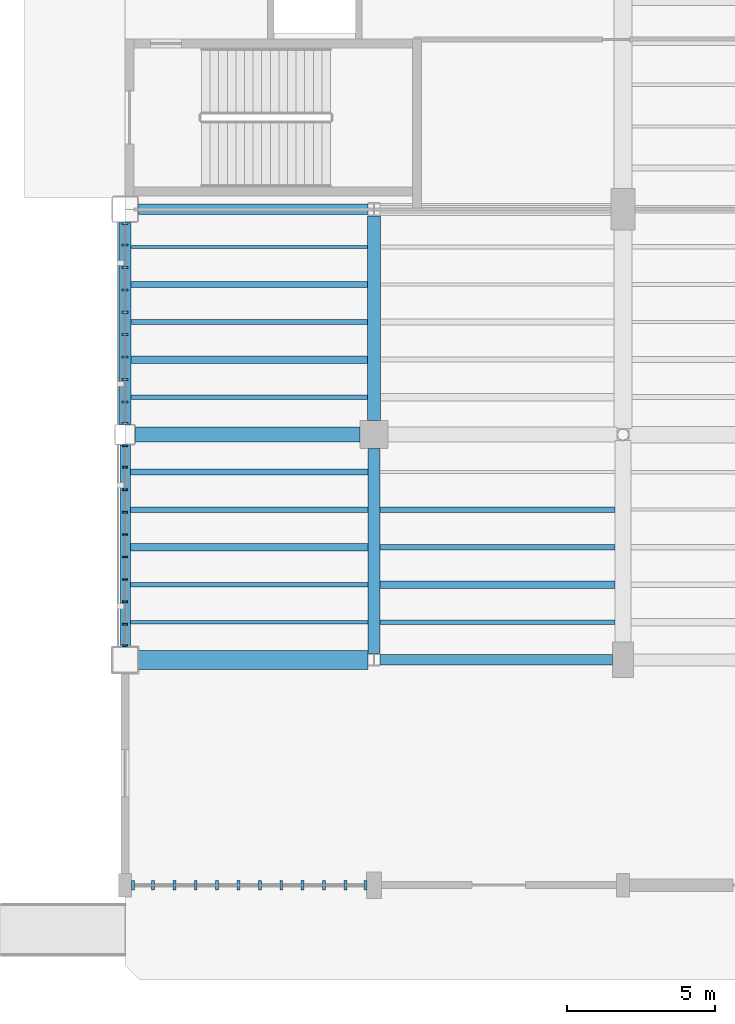
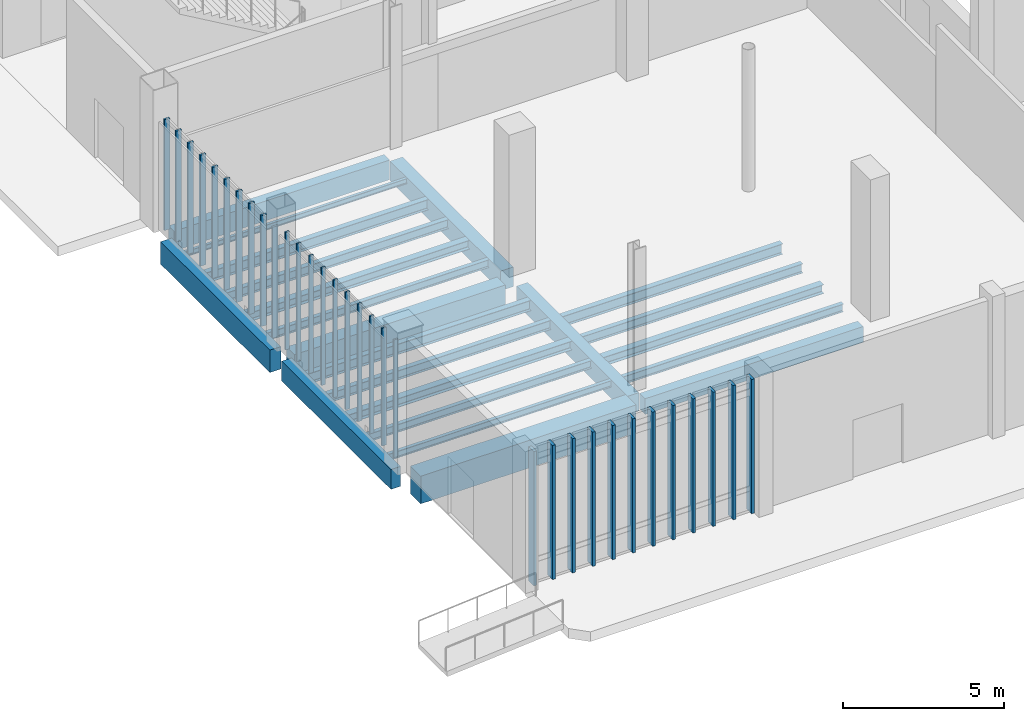
# One storey, part 13 of 111: 32 members, 22 beams, 3 elements without a shape of their own.
"""IFC4 building model written with IfcOpenShell, lengths in metres."""

import ifcopenshell
import ifcopenshell.guid

model = None  # the IFC model being written
_history = None  # IfcOwnerHistory: only IFC2X3 demands one
_inside = {}  # id of a spatial element -> (the spatial element, [elements in it])
_under = {}  # id of a project, library or spatial element -> (it, [spatial elements below it])
_declared = {}  # id of a project -> (the project, [libraries it declares])
_typed = {}  # id of a type object -> (the type object, [elements of that type])
_made_of = {}  # id of a material, layer set ... -> (it, [elements and type objects made of it])


def new_model(schema):
    """Start an empty IFC model of exactly this schema.

    Asked for "IFC4X3", IfcOpenShell would pick the latest addendum, in which some entities
    have other attributes; the version numbers below select the first issue.
    IFC2X3 requires an IfcOwnerHistory on every rooted entity: one is made here for all.
    """
    global model, _history
    if schema == "IFC4X3":
        model = ifcopenshell.file(schema_version=(4, 3, 0, 0))
    else:
        model = ifcopenshell.file(schema=schema)
    _inside.clear()
    _under.clear()
    _declared.clear()
    _typed.clear()
    _made_of.clear()
    _history = None
    if model.schema == "IFC2X3":
        org = make("IfcOrganization", Name="unknown")
        user = make(
            "IfcPersonAndOrganization",
            ThePerson=make("IfcPerson", FamilyName="unknown"),
            TheOrganization=org,
        )
        app = make(
            "IfcApplication",
            ApplicationDeveloper=org,
            Version="unknown",
            ApplicationFullName="unknown",
            ApplicationIdentifier="unknown",
        )
        _history = make(
            "IfcOwnerHistory",
            OwningUser=user,
            OwningApplication=app,
            ChangeAction="ADDED",
            CreationDate=0,
        )
    return model


def make(cls, **values):
    """One entity of the class cls with the attributes given. An attribute that is None is left unset."""
    return model.create_entity(
        cls, **{name: value for name, value in values.items() if value is not None}
    )


def rooted(cls, **values):
    """An entity with a GlobalId (a new one), such as an element, a storey or a relation."""
    return make(cls, GlobalId=ifcopenshell.guid.new(), OwnerHistory=_history, **values)


def si_unit(unit_type, name, prefix=None):
    """IfcSIUnit, for example si_unit("LENGTHUNIT", "METRE", prefix="MILLI")."""
    return make("IfcSIUnit", UnitType=unit_type, Prefix=prefix, Name=name)


def assignment(units):
    """IfcUnitAssignment: the units of a project."""
    return None if units is None else make("IfcUnitAssignment", Units=units)


def point(xyz):
    """IfcCartesianPoint."""
    return None if xyz is None else make("IfcCartesianPoint", Coordinates=xyz)


def direction(xyz):
    """IfcDirection."""
    return None if xyz is None else make("IfcDirection", DirectionRatios=xyz)


def frame(location, z_axis=None, x_axis=None):
    """IfcAxis2Placement3D, a coordinate frame: its origin and axes. An axis left out is left unset."""
    return make(
        "IfcAxis2Placement3D",
        Location=point(location),
        Axis=direction(z_axis),
        RefDirection=direction(x_axis),
    )


def frame_2d(location, x_axis=None):
    """IfcAxis2Placement2D, a coordinate frame in the plane: its origin and x axis."""
    return make(
        "IfcAxis2Placement2D", Location=point(location), RefDirection=direction(x_axis)
    )


def origin():
    """The frame at (0, 0, 0) with its axes left unset."""
    return frame((0.0, 0.0, 0.0))


def origin_2d():
    """The frame at (0, 0) in the plane with its x axis left unset."""
    return frame_2d((0.0, 0.0))


def place(relative_to, where):
    """IfcLocalPlacement: puts the frame where relative to a parent placement (None: the world)."""
    return make(
        "IfcLocalPlacement", PlacementRelTo=relative_to, RelativePlacement=where
    )


def context(
    kind, dimensions, precision=None, world=None, true_north=None, identifier=None
):
    """IfcGeometricRepresentationContext, for example the 3D "Model" context."""
    return make(
        "IfcGeometricRepresentationContext",
        ContextIdentifier=identifier,
        ContextType=kind,
        CoordinateSpaceDimension=dimensions,
        Precision=precision,
        WorldCoordinateSystem=world,
        TrueNorth=true_north,
    )


def subcontext(parent, identifier, kind, view, scale=None):
    """IfcGeometricRepresentationSubContext, for example "Body" below "Model"."""
    return make(
        "IfcGeometricRepresentationSubContext",
        ContextIdentifier=identifier,
        ContextType=kind,
        ParentContext=parent,
        TargetScale=scale,
        TargetView=view,
    )


def project(units=None, contexts=None):
    """IfcProject with its units and contexts."""
    return rooted(
        "IfcProject",
        Name="project",
        RepresentationContexts=contexts,
        UnitsInContext=assignment(units),
    )


def spatial(cls, under=None, at=None, **own):
    """A site, building, storey or space (cls), placed at a placement, below another one or the project."""
    s = rooted(cls, ObjectPlacement=at, **own)
    if under is not None:
        _under.setdefault(under.id(), (under, []))[1].append(s)
    return s


def profile(cls, at=None, kind="AREA", **sizes):
    """A parametric profile (cls). Its sizes go by their IFC names, for example OverallWidth=200.0."""
    return make(cls, ProfileType=kind, Position=at, **sizes)


def rectangle(**sizes):
    """IfcRectangleProfileDef."""
    return profile("IfcRectangleProfileDef", **sizes)


def i_section(**sizes):
    """IfcIShapeProfileDef."""
    return profile("IfcIShapeProfileDef", **sizes)


def extrude(swept, where, along, depth):
    """IfcExtrudedAreaSolid: the profile swept, set in the frame where, extruded along a direction by depth."""
    return make(
        "IfcExtrudedAreaSolid",
        SweptArea=swept,
        Position=where,
        ExtrudedDirection=direction(along),
        Depth=depth,
    )


def shape(context_of_items, identifier, shape_type, items):
    """IfcShapeRepresentation: the items that make up one representation, for example the "Body"."""
    return make(
        "IfcShapeRepresentation",
        ContextOfItems=context_of_items,
        RepresentationIdentifier=identifier,
        RepresentationType=shape_type,
        Items=items,
    )


def material(Name=None, Category=None):
    """IfcMaterial."""
    return make("IfcMaterial", Name=Name, Category=Category)


def material_profile(
    of_material, cross_section, Name=None, Category=None, Priority=None
):
    """IfcMaterialProfile: a cross section and its material."""
    return make(
        "IfcMaterialProfile",
        Name=Name,
        Material=of_material,
        Profile=cross_section,
        Priority=Priority,
        Category=Category,
    )


def profile_set(profiles, Name=None, composite=None):
    """IfcMaterialProfileSet."""
    return make(
        "IfcMaterialProfileSet",
        Name=Name,
        MaterialProfiles=profiles,
        CompositeProfile=composite,
    )


def made_of(thing, what):
    """Note that an element or type object is made of a material, layer set ...; save() writes the relation."""
    if what is not None:
        _made_of.setdefault(what.id(), (what, []))[1].append(thing)
    return thing


def type_object(cls, material=None, **own):
    """A type object (cls), such as IfcWallType, which elements share."""
    return made_of(rooted(cls, **own), material)


def element(
    cls,
    number,
    at=None,
    inside=None,
    cuts=None,
    type_object=None,
    material=None,
    context=None,
    identifier="Body",
    shape_type=None,
    held_by="IfcProductDefinitionShape",
    body=None,
    shapes=None,
    **own,
):
    """One element of the class cls, such as IfcWall. Its Tag is "e" and its number.

    at: its placement. inside: the storey or other place that contains it. cuts: it is an
    opening in that element (IfcRelVoidsElement). A single representation is given by context,
    identifier, shape_type and body (its items); several are given by shapes. held_by: the class
    of the entity that holds the representations. save() writes the other relations.
    """
    e = rooted(cls, Tag="e%d" % number, ObjectPlacement=at, **own)
    if body is not None:
        shapes = [shape(context, identifier, shape_type, body)]
    if shapes is not None:
        e.Representation = make(held_by, Representations=shapes)
    if inside is not None:
        _inside.setdefault(inside.id(), (inside, []))[1].append(e)
    if cuts is not None:
        rooted(
            "IfcRelVoidsElement", RelatingBuildingElement=cuts, RelatedOpeningElement=e
        )
    if type_object is not None:
        _typed.setdefault(type_object.id(), (type_object, []))[1].append(e)
    return made_of(e, material)


def aggregate(whole, parts):
    """IfcRelAggregates: a whole, such as a stair, and the parts it consists of."""
    return rooted("IfcRelAggregates", RelatingObject=whole, RelatedObjects=parts)


def save(model, path):
    """Write the relations noted so far, then the file.

    IfcRelAggregates (storeys below a building ...), IfcRelContainedInSpatialStructure (elements
    in a storey), IfcRelDefinesByType, IfcRelAssociatesMaterial and IfcRelDeclares: one each for
    every whole, place, type object, material and project.
    """
    for whole, parts in _under.values():
        aggregate(whole, parts)
    for where, things in _inside.values():
        rooted(
            "IfcRelContainedInSpatialStructure",
            RelatedElements=things,
            RelatingStructure=where,
        )
    for kind, things in _typed.values():
        rooted("IfcRelDefinesByType", RelatedObjects=things, RelatingType=kind)
    for what, things in _made_of.values():
        rooted("IfcRelAssociatesMaterial", RelatedObjects=things, RelatingMaterial=what)
    for by, libraries in _declared.values():
        rooted("IfcRelDeclares", RelatingContext=by, RelatedDefinitions=libraries)
    model.write(path)


model = new_model("IFC4")

# Units and contexts
model_context = context("Model", 3, precision=1e-05, world=origin(), true_north=direction((0.0, 1.0)))
body_context = subcontext(model_context, "Body", "Model", "MODEL_VIEW")
ifc_project = project(units=[si_unit("LENGTHUNIT", "METRE"), si_unit("AREAUNIT", "SQUARE_METRE"), si_unit("VOLUMEUNIT", "CUBIC_METRE"), si_unit("PLANEANGLEUNIT", "RADIAN"), si_unit("MASSUNIT", "GRAM", prefix="KILO")], contexts=[model_context])

# Site, building, storey
site_placement = place(None, origin())
site = spatial("IfcSite", under=ifc_project, at=site_placement, CompositionType="ELEMENT")
building_placement = place(site_placement, origin())
building = spatial("IfcBuilding", under=site, at=building_placement, Name="Larkvane Passage Sports Hall", CompositionType="ELEMENT")
storey_placement = place(building_placement, origin())
storey = spatial("IfcBuildingStorey", under=building, at=storey_placement, Name="L00", CompositionType="ELEMENT", Elevation=0.0)

# Beams
ifc_material_1 = material(Name="Concrete C40/50", Category="concrete")
ifc_material_profile_1 = material_profile(ifc_material_1, rectangle(XDim=0.35009765625, YDim=0.60009765625, at=origin_2d()), Name="RC-BM-350x600")
ifc_profile_set_1 = profile_set([ifc_material_profile_1], Name="Concrete C40/50")
beam_type_1 = type_object("IfcBeamType", Name="BM-RC-350x600", PredefinedType="BEAM", material=ifc_profile_set_1)
beam_1_placement = place(storey_placement, frame((43.403564453125, 7.60009765625, -0.719970703125), z_axis=(1.0, 0.0, 0.0), x_axis=(0.0, 1.0, 0.0)))
element("IfcBeam", 1, at=beam_1_placement, inside=storey, type_object=beam_type_1, Name="Girder BM5-X-L00-B-0002", PredefinedType="BEAM", context=body_context, shape_type="SweptSolid", body=[
    extrude(rectangle(XDim=0.35009765625, YDim=0.60009765625, at=origin_2d()), origin(), (0.0, 0.0, 1.0), 7.846435546875),
])
ifc_material_profile_2 = material_profile(ifc_material_1, rectangle(XDim=0.39990234375, YDim=0.699951171875, at=origin_2d()), Name="RC-BM-400x700")
ifc_profile_set_2 = profile_set([ifc_material_profile_2], Name="Concrete C40/50")
beam_type_2 = type_object("IfcBeamType", Name="BM-RC-400x700", PredefinedType="BEAM", material=ifc_profile_set_2)
beam_2_placement = place(storey_placement, frame((43.199951171875, 7.81396484375, -0.77001953125), z_axis=(0.0, 1.0, 0.0), x_axis=(-1.0, 0.0, 0.0)))
element("IfcBeam", 2, at=beam_2_placement, inside=storey, type_object=beam_type_2, Name="Girder BM5-Y-L00-7-0082", PredefinedType="BEAM", context=body_context, shape_type="SweptSolid", body=[
    extrude(rectangle(XDim=0.39990234375, YDim=0.699951171875, at=origin_2d()), origin(), (0.0, 0.0, 1.0), 6.9111328125),
])
ifc_material_profile_3 = material_profile(ifc_material_1, rectangle(XDim=0.449951171875, YDim=0.75, at=origin_2d()), Name="RC-BM-450x750")
ifc_profile_set_3 = profile_set([ifc_material_profile_3], Name="Concrete C40/50")
beam_type_3 = type_object("IfcBeamType", Name="BM-RC-450x750", PredefinedType="BEAM", material=ifc_profile_set_3)
beam_3_placement = place(storey_placement, frame((43.199951171875, 15.675048828125, -0.794921875), z_axis=(0.0, 1.0, 0.0), x_axis=(-1.0, 0.0, 0.0)))
element("IfcBeam", 3, at=beam_3_placement, inside=storey, type_object=beam_type_3, Name="Girder BM5-Y-L00-7-0083", PredefinedType="BEAM", context=body_context, shape_type="SweptSolid", body=[
    extrude(rectangle(XDim=0.449951171875, YDim=0.75, at=origin_2d()), origin(), (0.0, 0.0, 1.0), 6.89599609375),
])
ifc_material_profile_4 = material_profile(ifc_material_1, rectangle(XDim=0.5, YDim=0.85009765625, at=origin_2d()), Name="RC-BM-500x850")
ifc_profile_set_4 = profile_set([ifc_material_profile_4], Name="Concrete C40/50")
beam_type_4 = type_object("IfcBeamType", Name="BM-RC-500x850", PredefinedType="BEAM", material=ifc_profile_set_4)
beam_4_placement = place(storey_placement, frame((35.14990234375, 15.199951171875, -0.844970703125), z_axis=(1.0, 0.0, 0.0), x_axis=(0.0, 1.0, 0.0)))
element("IfcBeam", 4, at=beam_4_placement, inside=storey, type_object=beam_type_4, Name="Girder BM5-X-L00-C-0007", PredefinedType="BEAM", context=body_context, shape_type="SweptSolid", body=[
    extrude(rectangle(XDim=0.5, YDim=0.85009765625, at=origin_2d()), origin(), (0.0, 0.0, 1.0), 7.5751953125),
])

# Curtain wall, members
ifc_material_2 = material(Name="Thermally broken aluminium and low-E glazing", Category="aluminium")
curtain_wall_type_1 = type_object("IfcCurtainWallType", Name="CW-CLINIC", PredefinedType="USERDEFINED", material=ifc_material_2)
curtain_wall_1_placement = place(storey_placement, origin())
curtain_wall_1 = element("IfcCurtainWall", 5, at=curtain_wall_1_placement, inside=storey, type_object=curtain_wall_type_1, Name="Curtain wall CW5-L00-003", ObjectType="UNITISED CURTAIN WALL", PredefinedType="USERDEFINED")
ifc_material_3 = material(Name="Anodised aluminium 6063-T6", Category="aluminium")
ifc_material_profile_5 = material_profile(ifc_material_3, rectangle(XDim=0.10009765625, YDim=0.320068359375, at=origin_2d()), Name="ALU-MUL-100x320")
ifc_profile_set_5 = profile_set([ifc_material_profile_5], Name="Anodised aluminium 6063-T6")
member_type_1 = type_object("IfcMemberType", Name="CW-MUL-100x320", PredefinedType="MULLION", material=ifc_profile_set_5)
member_1_placement = place(storey_placement, frame((42.904052734375, 0.0, 0.0), z_axis=(0.0, 0.0, 1.0), x_axis=(-1.0, 0.0, 0.0)))
member_1 = element("IfcMember", 6, at=member_1_placement, type_object=member_type_1, Name="CW-05 mullion 1", PredefinedType="MULLION", context=body_context, shape_type="SweptSolid", body=[
    extrude(rectangle(XDim=0.10009765625, YDim=0.320068359375, at=origin_2d()), origin(), (0.0, 0.0, 1.0), 5.10009765625),
])
member_2_placement = place(storey_placement, frame((42.23291015625, 0.0, 0.0), z_axis=(0.0, 0.0, 1.0), x_axis=(-1.0, 0.0, 0.0)))
member_2 = element("IfcMember", 7, at=member_2_placement, type_object=member_type_1, Name="CW-05 mullion 2", PredefinedType="MULLION", context=body_context, shape_type="SweptSolid", body=[
    extrude(rectangle(XDim=0.10009765625, YDim=0.320068359375, at=origin_2d()), origin(), (0.0, 0.0, 1.0), 5.10009765625),
])
member_3_placement = place(storey_placement, frame((41.51171875, 0.0, 0.0), z_axis=(0.0, 0.0, 1.0), x_axis=(-1.0, 0.0, 0.0)))
member_3 = element("IfcMember", 8, at=member_3_placement, type_object=member_type_1, Name="CW-05 mullion 3", PredefinedType="MULLION", context=body_context, shape_type="SweptSolid", body=[
    extrude(rectangle(XDim=0.10009765625, YDim=0.320068359375, at=origin_2d()), origin(), (0.0, 0.0, 1.0), 5.10009765625),
])
member_4_placement = place(storey_placement, frame((40.79052734375, 0.0, 0.0), z_axis=(0.0, 0.0, 1.0), x_axis=(-1.0, 0.0, 0.0)))
member_4 = element("IfcMember", 9, at=member_4_placement, type_object=member_type_1, Name="CW-05 mullion 4", PredefinedType="MULLION", context=body_context, shape_type="SweptSolid", body=[
    extrude(rectangle(XDim=0.10009765625, YDim=0.320068359375, at=origin_2d()), origin(), (0.0, 0.0, 1.0), 5.10009765625),
])
member_5_placement = place(storey_placement, frame((40.0693359375, 0.0, 0.0), z_axis=(0.0, 0.0, 1.0), x_axis=(-1.0, 0.0, 0.0)))
member_5 = element("IfcMember", 10, at=member_5_placement, type_object=member_type_1, Name="CW-05 mullion 5", PredefinedType="MULLION", context=body_context, shape_type="SweptSolid", body=[
    extrude(rectangle(XDim=0.10009765625, YDim=0.320068359375, at=origin_2d()), origin(), (0.0, 0.0, 1.0), 5.10009765625),
])
member_6_placement = place(storey_placement, frame((39.34814453125, 0.0, 0.0), z_axis=(0.0, 0.0, 1.0), x_axis=(-1.0, 0.0, 0.0)))
member_6 = element("IfcMember", 11, at=member_6_placement, type_object=member_type_1, Name="CW-05 mullion 6", PredefinedType="MULLION", context=body_context, shape_type="SweptSolid", body=[
    extrude(rectangle(XDim=0.10009765625, YDim=0.320068359375, at=origin_2d()), origin(), (0.0, 0.0, 1.0), 5.10009765625),
])
member_7_placement = place(storey_placement, frame((38.626953125, 0.0, 0.0), z_axis=(0.0, 0.0, 1.0), x_axis=(-1.0, 0.0, 0.0)))
member_7 = element("IfcMember", 12, at=member_7_placement, type_object=member_type_1, Name="CW-05 mullion 7", PredefinedType="MULLION", context=body_context, shape_type="SweptSolid", body=[
    extrude(rectangle(XDim=0.10009765625, YDim=0.320068359375, at=origin_2d()), origin(), (0.0, 0.0, 1.0), 5.10009765625),
])
member_8_placement = place(storey_placement, frame((37.90576171875, 0.0, 0.0), z_axis=(0.0, 0.0, 1.0), x_axis=(-1.0, 0.0, 0.0)))
member_8 = element("IfcMember", 13, at=member_8_placement, type_object=member_type_1, Name="CW-05 mullion 8", PredefinedType="MULLION", context=body_context, shape_type="SweptSolid", body=[
    extrude(rectangle(XDim=0.10009765625, YDim=0.320068359375, at=origin_2d()), origin(), (0.0, 0.0, 1.0), 5.10009765625),
])
member_9_placement = place(storey_placement, frame((37.1845703125, 0.0, 0.0), z_axis=(0.0, 0.0, 1.0), x_axis=(-1.0, 0.0, 0.0)))
member_9 = element("IfcMember", 14, at=member_9_placement, type_object=member_type_1, Name="CW-05 mullion 9", PredefinedType="MULLION", context=body_context, shape_type="SweptSolid", body=[
    extrude(rectangle(XDim=0.10009765625, YDim=0.320068359375, at=origin_2d()), origin(), (0.0, 0.0, 1.0), 5.10009765625),
])
member_10_placement = place(storey_placement, frame((36.46337890625, 0.0, 0.0), z_axis=(0.0, 0.0, 1.0), x_axis=(-1.0, 0.0, 0.0)))
member_10 = element("IfcMember", 15, at=member_10_placement, type_object=member_type_1, Name="CW-05 mullion 10", PredefinedType="MULLION", context=body_context, shape_type="SweptSolid", body=[
    extrude(rectangle(XDim=0.10009765625, YDim=0.320068359375, at=origin_2d()), origin(), (0.0, 0.0, 1.0), 5.10009765625),
])
member_11_placement = place(storey_placement, frame((35.7421875, 0.0, 0.0), z_axis=(0.0, 0.0, 1.0), x_axis=(-1.0, 0.0, 0.0)))
member_11 = element("IfcMember", 16, at=member_11_placement, type_object=member_type_1, Name="CW-05 mullion 11", PredefinedType="MULLION", context=body_context, shape_type="SweptSolid", body=[
    extrude(rectangle(XDim=0.10009765625, YDim=0.320068359375, at=origin_2d()), origin(), (0.0, 0.0, 1.0), 5.10009765625),
])
member_12_placement = place(storey_placement, frame((35.071044921875, 0.0, 0.0), z_axis=(0.0, 0.0, 1.0), x_axis=(-1.0, 0.0, 0.0)))
member_12 = element("IfcMember", 17, at=member_12_placement, type_object=member_type_1, Name="CW-05 mullion 12", PredefinedType="MULLION", context=body_context, shape_type="SweptSolid", body=[
    extrude(rectangle(XDim=0.10009765625, YDim=0.320068359375, at=origin_2d()), origin(), (0.0, 0.0, 1.0), 5.10009765625),
])
aggregate(curtain_wall_1, [member_1, member_2, member_3, member_4, member_5, member_6, member_7, member_8, member_9, member_10, member_11, member_12])

curtain_wall_type_2 = type_object("IfcCurtainWallType", Name="CW-UNIT-COURT", PredefinedType="USERDEFINED", material=ifc_material_2)
curtain_wall_2_placement = place(storey_placement, origin())
curtain_wall_2 = element("IfcCurtainWall", 18, at=curtain_wall_2_placement, inside=storey, type_object=curtain_wall_type_2, Name="Curtain wall CW5-L00-004", ObjectType="UNITISED CURTAIN WALL", PredefinedType="USERDEFINED")
ifc_material_profile_6 = material_profile(ifc_material_3, rectangle(XDim=0.06005859375, YDim=0.14990234375, at=origin_2d()), Name="ALU-MUL-60x150")
ifc_profile_set_6 = profile_set([ifc_material_profile_6], Name="Anodised aluminium 6063-T6")
member_type_2 = type_object("IfcMemberType", Name="CW-MUL-60x150", PredefinedType="MULLION", material=ifc_profile_set_6)
member_13_placement = place(storey_placement, frame((34.800048828125, 8.075927734375, 0.0), z_axis=(0.0, 0.0, 1.0), x_axis=(0.0, 1.0, 0.0)))
member_13 = element("IfcMember", 19, at=member_13_placement, type_object=member_type_2, Name="CW-01 mullion 1", PredefinedType="MULLION", context=body_context, shape_type="SweptSolid", body=[
    extrude(rectangle(XDim=0.06005859375, YDim=0.14990234375, at=origin_2d()), origin(), (0.0, 0.0, 1.0), 4.468017578125),
])
member_14_placement = place(storey_placement, frame((34.800048828125, 8.802490234375, 0.0), z_axis=(0.0, 0.0, 1.0), x_axis=(0.0, 1.0, 0.0)))
member_14 = element("IfcMember", 20, at=member_14_placement, type_object=member_type_2, Name="CW-01 mullion 2", PredefinedType="MULLION", context=body_context, shape_type="SweptSolid", body=[
    extrude(rectangle(XDim=0.06005859375, YDim=0.14990234375, at=origin_2d()), origin(), (0.0, 0.0, 1.0), 4.468017578125),
])
member_15_placement = place(storey_placement, frame((34.800048828125, 9.558837890625, 0.0), z_axis=(0.0, 0.0, 1.0), x_axis=(0.0, 1.0, 0.0)))
member_15 = element("IfcMember", 21, at=member_15_placement, type_object=member_type_2, Name="CW-01 mullion 3", PredefinedType="MULLION", context=body_context, shape_type="SweptSolid", body=[
    extrude(rectangle(XDim=0.06005859375, YDim=0.14990234375, at=origin_2d()), origin(), (0.0, 0.0, 1.0), 4.468017578125),
])
member_16_placement = place(storey_placement, frame((34.800048828125, 10.3154296875, 0.0), z_axis=(0.0, 0.0, 1.0), x_axis=(0.0, 1.0, 0.0)))
member_16 = element("IfcMember", 22, at=member_16_placement, type_object=member_type_2, Name="CW-01 mullion 4", PredefinedType="MULLION", context=body_context, shape_type="SweptSolid", body=[
    extrude(rectangle(XDim=0.06005859375, YDim=0.14990234375, at=origin_2d()), origin(), (0.0, 0.0, 1.0), 4.468017578125),
])
member_17_placement = place(storey_placement, frame((34.800048828125, 11.07177734375, 0.0), z_axis=(0.0, 0.0, 1.0), x_axis=(0.0, 1.0, 0.0)))
member_17 = element("IfcMember", 23, at=member_17_placement, type_object=member_type_2, Name="CW-01 mullion 5", PredefinedType="MULLION", context=body_context, shape_type="SweptSolid", body=[
    extrude(rectangle(XDim=0.06005859375, YDim=0.14990234375, at=origin_2d()), origin(), (0.0, 0.0, 1.0), 4.468017578125),
])
member_18_placement = place(storey_placement, frame((34.800048828125, 11.828125, 0.0), z_axis=(0.0, 0.0, 1.0), x_axis=(0.0, 1.0, 0.0)))
member_18 = element("IfcMember", 24, at=member_18_placement, type_object=member_type_2, Name="CW-01 mullion 6", PredefinedType="MULLION", context=body_context, shape_type="SweptSolid", body=[
    extrude(rectangle(XDim=0.06005859375, YDim=0.14990234375, at=origin_2d()), origin(), (0.0, 0.0, 1.0), 4.468017578125),
])
member_19_placement = place(storey_placement, frame((34.800048828125, 12.584716796875, 0.0), z_axis=(0.0, 0.0, 1.0), x_axis=(0.0, 1.0, 0.0)))
member_19 = element("IfcMember", 25, at=member_19_placement, type_object=member_type_2, Name="CW-01 mullion 7", PredefinedType="MULLION", context=body_context, shape_type="SweptSolid", body=[
    extrude(rectangle(XDim=0.06005859375, YDim=0.14990234375, at=origin_2d()), origin(), (0.0, 0.0, 1.0), 4.468017578125),
])
member_20_placement = place(storey_placement, frame((34.800048828125, 13.341064453125, 0.0), z_axis=(0.0, 0.0, 1.0), x_axis=(0.0, 1.0, 0.0)))
member_20 = element("IfcMember", 26, at=member_20_placement, type_object=member_type_2, Name="CW-01 mullion 8", PredefinedType="MULLION", context=body_context, shape_type="SweptSolid", body=[
    extrude(rectangle(XDim=0.06005859375, YDim=0.14990234375, at=origin_2d()), origin(), (0.0, 0.0, 1.0), 4.468017578125),
])
member_21_placement = place(storey_placement, frame((34.800048828125, 14.09765625, 0.0), z_axis=(0.0, 0.0, 1.0), x_axis=(0.0, 1.0, 0.0)))
member_21 = element("IfcMember", 27, at=member_21_placement, type_object=member_type_2, Name="CW-01 mullion 9", PredefinedType="MULLION", context=body_context, shape_type="SweptSolid", body=[
    extrude(rectangle(XDim=0.06005859375, YDim=0.14990234375, at=origin_2d()), origin(), (0.0, 0.0, 1.0), 4.468017578125),
])
member_22_placement = place(storey_placement, frame((34.800048828125, 14.823974609375, 0.0), z_axis=(0.0, 0.0, 1.0), x_axis=(0.0, 1.0, 0.0)))
member_22 = element("IfcMember", 28, at=member_22_placement, type_object=member_type_2, Name="CW-01 mullion 10", PredefinedType="MULLION", context=body_context, shape_type="SweptSolid", body=[
    extrude(rectangle(XDim=0.06005859375, YDim=0.14990234375, at=origin_2d()), origin(), (0.0, 0.0, 1.0), 4.468017578125),
])
aggregate(curtain_wall_2, [member_13, member_14, member_15, member_16, member_17, member_18, member_19, member_20, member_21, member_22])

curtain_wall_type_3 = type_object("IfcCurtainWallType", Name="CW-UNIT-VEIL", PredefinedType="USERDEFINED", material=ifc_material_2)
curtain_wall_3_placement = place(storey_placement, origin())
curtain_wall_3 = element("IfcCurtainWall", 29, at=curtain_wall_3_placement, inside=storey, type_object=curtain_wall_type_3, Name="Curtain wall CW5-L00-005", ObjectType="UNITISED CURTAIN WALL", PredefinedType="USERDEFINED")
ifc_material_profile_7 = material_profile(ifc_material_3, rectangle(XDim=0.070068359375, YDim=0.199951171875, at=origin_2d()), Name="ALU-MUL-70x200")
ifc_profile_set_7 = profile_set([ifc_material_profile_7], Name="Anodised aluminium 6063-T6")
member_type_3 = type_object("IfcMemberType", Name="CW-MUL-70x200", PredefinedType="MULLION", material=ifc_profile_set_7)
member_23_placement = place(storey_placement, frame((34.800048828125, 15.5810546875, 0.0), z_axis=(0.0, 0.0, 1.0), x_axis=(0.0, 1.0, 0.0)))
member_23 = element("IfcMember", 30, at=member_23_placement, type_object=member_type_3, Name="CW-02 mullion 1", PredefinedType="MULLION", context=body_context, shape_type="SweptSolid", body=[
    extrude(rectangle(XDim=0.070068359375, YDim=0.199951171875, at=origin_2d()), origin(), (0.0, 0.0, 1.0), 4.218017578125),
])
member_24_placement = place(storey_placement, frame((34.800048828125, 16.302490234375, 0.0), z_axis=(0.0, 0.0, 1.0), x_axis=(0.0, 1.0, 0.0)))
member_24 = element("IfcMember", 31, at=member_24_placement, type_object=member_type_3, Name="CW-02 mullion 2", PredefinedType="MULLION", context=body_context, shape_type="SweptSolid", body=[
    extrude(rectangle(XDim=0.070068359375, YDim=0.199951171875, at=origin_2d()), origin(), (0.0, 0.0, 1.0), 4.218017578125),
])
member_25_placement = place(storey_placement, frame((34.800048828125, 17.058837890625, 0.0), z_axis=(0.0, 0.0, 1.0), x_axis=(0.0, 1.0, 0.0)))
member_25 = element("IfcMember", 32, at=member_25_placement, type_object=member_type_3, Name="CW-02 mullion 3", PredefinedType="MULLION", context=body_context, shape_type="SweptSolid", body=[
    extrude(rectangle(XDim=0.070068359375, YDim=0.199951171875, at=origin_2d()), origin(), (0.0, 0.0, 1.0), 4.218017578125),
])
member_26_placement = place(storey_placement, frame((34.800048828125, 17.8154296875, 0.0), z_axis=(0.0, 0.0, 1.0), x_axis=(0.0, 1.0, 0.0)))
member_26 = element("IfcMember", 33, at=member_26_placement, type_object=member_type_3, Name="CW-02 mullion 4", PredefinedType="MULLION", context=body_context, shape_type="SweptSolid", body=[
    extrude(rectangle(XDim=0.070068359375, YDim=0.199951171875, at=origin_2d()), origin(), (0.0, 0.0, 1.0), 4.218017578125),
])
member_27_placement = place(storey_placement, frame((34.800048828125, 18.57177734375, 0.0), z_axis=(0.0, 0.0, 1.0), x_axis=(0.0, 1.0, 0.0)))
member_27 = element("IfcMember", 34, at=member_27_placement, type_object=member_type_3, Name="CW-02 mullion 5", PredefinedType="MULLION", context=body_context, shape_type="SweptSolid", body=[
    extrude(rectangle(XDim=0.070068359375, YDim=0.199951171875, at=origin_2d()), origin(), (0.0, 0.0, 1.0), 4.218017578125),
])
member_28_placement = place(storey_placement, frame((34.800048828125, 19.328125, 0.0), z_axis=(0.0, 0.0, 1.0), x_axis=(0.0, 1.0, 0.0)))
member_28 = element("IfcMember", 35, at=member_28_placement, type_object=member_type_3, Name="CW-02 mullion 6", PredefinedType="MULLION", context=body_context, shape_type="SweptSolid", body=[
    extrude(rectangle(XDim=0.070068359375, YDim=0.199951171875, at=origin_2d()), origin(), (0.0, 0.0, 1.0), 4.218017578125),
])
member_29_placement = place(storey_placement, frame((34.800048828125, 20.084716796875, 0.0), z_axis=(0.0, 0.0, 1.0), x_axis=(0.0, 1.0, 0.0)))
member_29 = element("IfcMember", 36, at=member_29_placement, type_object=member_type_3, Name="CW-02 mullion 7", PredefinedType="MULLION", context=body_context, shape_type="SweptSolid", body=[
    extrude(rectangle(XDim=0.070068359375, YDim=0.199951171875, at=origin_2d()), origin(), (0.0, 0.0, 1.0), 4.218017578125),
])
member_30_placement = place(storey_placement, frame((34.800048828125, 20.841064453125, 0.0), z_axis=(0.0, 0.0, 1.0), x_axis=(0.0, 1.0, 0.0)))
member_30 = element("IfcMember", 37, at=member_30_placement, type_object=member_type_3, Name="CW-02 mullion 8", PredefinedType="MULLION", context=body_context, shape_type="SweptSolid", body=[
    extrude(rectangle(XDim=0.070068359375, YDim=0.199951171875, at=origin_2d()), origin(), (0.0, 0.0, 1.0), 4.218017578125),
])
member_31_placement = place(storey_placement, frame((34.800048828125, 21.59765625, 0.0), z_axis=(0.0, 0.0, 1.0), x_axis=(0.0, 1.0, 0.0)))
member_31 = element("IfcMember", 38, at=member_31_placement, type_object=member_type_3, Name="CW-02 mullion 9", PredefinedType="MULLION", context=body_context, shape_type="SweptSolid", body=[
    extrude(rectangle(XDim=0.070068359375, YDim=0.199951171875, at=origin_2d()), origin(), (0.0, 0.0, 1.0), 4.218017578125),
])
member_32_placement = place(storey_placement, frame((34.800048828125, 22.319091796875, 0.0), z_axis=(0.0, 0.0, 1.0), x_axis=(0.0, 1.0, 0.0)))
member_32 = element("IfcMember", 39, at=member_32_placement, type_object=member_type_3, Name="CW-02 mullion 10", PredefinedType="MULLION", context=body_context, shape_type="SweptSolid", body=[
    extrude(rectangle(XDim=0.070068359375, YDim=0.199951171875, at=origin_2d()), origin(), (0.0, 0.0, 1.0), 4.218017578125),
])
aggregate(curtain_wall_3, [member_23, member_24, member_25, member_26, member_27, member_28, member_29, member_30, member_31, member_32])

# Beams
ifc_material_4 = material(Name="Steel S355JR", Category="steel")
ifc_material_profile_8 = material_profile(ifc_material_4, i_section(OverallWidth=0.10009765625, OverallDepth=0.199951171875, WebThickness=0.005615234375, FlangeThickness=0.008056640625, FilletRadius=0.008056640625, at=origin_2d()), Name="H-200x100x5.5x8")
ifc_profile_set_8 = profile_set([ifc_material_profile_8], Name="Steel S355JR")
beam_type_5 = type_object("IfcBeamType", Name="JST-STL-H200", PredefinedType="JOIST", material=ifc_profile_set_8)
beam_5_placement = place(storey_placement, frame((35.0, 21.533447265625, -0.52001953125), z_axis=(1.0, 0.0, 0.0), x_axis=(0.0, 1.0, 0.0)))
element("IfcBeam", 40, at=beam_5_placement, inside=storey, type_object=beam_type_5, Name="Composite joist L00 6/C-5", PredefinedType="JOIST", context=body_context, shape_type="SweptSolid", body=[
    extrude(i_section(OverallWidth=0.10009765625, OverallDepth=0.199951171875, WebThickness=0.005615234375, FlangeThickness=0.008056640625, FilletRadius=0.008056640625, at=origin_2d()), origin(), (0.0, 0.0, 1.0), 7.97509765625),
])
ifc_material_profile_9 = material_profile(ifc_material_4, i_section(OverallWidth=0.125, OverallDepth=0.25, WebThickness=0.006103515625, FlangeThickness=0.009033203125, FilletRadius=0.008056640625, at=origin_2d()), Name="H-250x125x6x9")
ifc_profile_set_9 = profile_set([ifc_material_profile_9], Name="Steel S355JR")
beam_type_6 = type_object("IfcBeamType", Name="JST-STL-H250", PredefinedType="JOIST", material=ifc_profile_set_9)
beam_6_placement = place(storey_placement, frame((34.97509765625, 8.86669921875, -0.544921875), z_axis=(1.0, 0.0, 0.0), x_axis=(0.0, 1.0, 0.0)))
element("IfcBeam", 41, at=beam_6_placement, inside=storey, type_object=beam_type_6, Name="Composite joist L00 6/B-1", PredefinedType="JOIST", context=body_context, shape_type="SweptSolid", body=[
    extrude(i_section(OverallWidth=0.125, OverallDepth=0.25, WebThickness=0.006103515625, FlangeThickness=0.009033203125, FilletRadius=0.008056640625, at=origin_2d()), origin(), (0.0, 0.0, 1.0), 8.02490234375),
])
ifc_material_profile_10 = material_profile(ifc_material_4, i_section(OverallWidth=0.14990234375, OverallDepth=0.300048828125, WebThickness=0.006591796875, FlangeThickness=0.009033203125, FilletRadius=0.012939453125, at=origin_2d()), Name="H-300x150x6.5x9")
ifc_profile_set_10 = profile_set([ifc_material_profile_10], Name="Steel S355JR")
beam_type_7 = type_object("IfcBeamType", Name="JST-STL-H300", PredefinedType="JOIST", material=ifc_profile_set_10)
beam_7_placement = place(storey_placement, frame((34.97509765625, 10.13330078125, -0.570068359375), z_axis=(1.0, 0.0, 0.0), x_axis=(0.0, 1.0, 0.0)))
element("IfcBeam", 42, at=beam_7_placement, inside=storey, type_object=beam_type_7, Name="Composite joist L00 6/B-2", PredefinedType="JOIST", context=body_context, shape_type="SweptSolid", body=[
    extrude(i_section(OverallWidth=0.14990234375, OverallDepth=0.300048828125, WebThickness=0.006591796875, FlangeThickness=0.009033203125, FilletRadius=0.012939453125, at=origin_2d()), origin(), (0.0, 0.0, 1.0), 8.02490234375),
])
beam_8_placement = place(storey_placement, frame((35.0, 16.466552734375, -0.570068359375), z_axis=(1.0, 0.0, 0.0), x_axis=(0.0, 1.0, 0.0)))
element("IfcBeam", 43, at=beam_8_placement, inside=storey, type_object=beam_type_7, Name="Composite joist L00 6/C-1", PredefinedType="JOIST", context=body_context, shape_type="SweptSolid", body=[
    extrude(i_section(OverallWidth=0.14990234375, OverallDepth=0.300048828125, WebThickness=0.006591796875, FlangeThickness=0.009033203125, FilletRadius=0.012939453125, at=origin_2d()), origin(), (0.0, 0.0, 1.0), 7.97509765625),
])
beam_9_placement = place(storey_placement, frame((43.39990234375, 8.86669921875, -0.570068359375), z_axis=(1.0, 0.0, 0.0), x_axis=(0.0, 1.0, 0.0)))
element("IfcBeam", 44, at=beam_9_placement, inside=storey, type_object=beam_type_7, Name="Composite joist L00 7/B-1", PredefinedType="JOIST", context=body_context, shape_type="SweptSolid", body=[
    extrude(i_section(OverallWidth=0.14990234375, OverallDepth=0.300048828125, WebThickness=0.006591796875, FlangeThickness=0.009033203125, FilletRadius=0.012939453125, at=origin_2d()), origin(), (0.0, 0.0, 1.0), 7.925048828125),
])
ifc_material_profile_11 = material_profile(ifc_material_4, i_section(OverallWidth=0.25, OverallDepth=0.340087890625, WebThickness=0.009033203125, FlangeThickness=0.013916015625, FilletRadius=0.012939453125, at=origin_2d()), Name="H-340x250x9x14")
ifc_profile_set_11 = profile_set([ifc_material_profile_11], Name="Steel S355JR")
beam_type_8 = type_object("IfcBeamType", Name="JST-STL-H340", PredefinedType="JOIST", material=ifc_profile_set_11)
beam_10_placement = place(storey_placement, frame((34.97509765625, 11.39990234375, -0.590087890625), z_axis=(1.0, 0.0, 0.0), x_axis=(0.0, 1.0, 0.0)))
element("IfcBeam", 45, at=beam_10_placement, inside=storey, type_object=beam_type_8, Name="Composite joist L00 6/B-3", PredefinedType="JOIST", context=body_context, shape_type="SweptSolid", body=[
    extrude(i_section(OverallWidth=0.25, OverallDepth=0.340087890625, WebThickness=0.009033203125, FlangeThickness=0.013916015625, FilletRadius=0.012939453125, at=origin_2d()), origin(), (0.0, 0.0, 1.0), 8.02490234375),
])
beam_11_placement = place(storey_placement, frame((35.0, 17.7333984375, -0.590087890625), z_axis=(1.0, 0.0, 0.0), x_axis=(0.0, 1.0, 0.0)))
element("IfcBeam", 46, at=beam_11_placement, inside=storey, type_object=beam_type_8, Name="Composite joist L00 6/C-2", PredefinedType="JOIST", context=body_context, shape_type="SweptSolid", body=[
    extrude(i_section(OverallWidth=0.25, OverallDepth=0.340087890625, WebThickness=0.009033203125, FlangeThickness=0.013916015625, FilletRadius=0.012939453125, at=origin_2d()), origin(), (0.0, 0.0, 1.0), 7.97509765625),
])
beam_12_placement = place(storey_placement, frame((43.39990234375, 10.13330078125, -0.590087890625), z_axis=(1.0, 0.0, 0.0), x_axis=(0.0, 1.0, 0.0)))
element("IfcBeam", 47, at=beam_12_placement, inside=storey, type_object=beam_type_8, Name="Composite joist L00 7/B-2", PredefinedType="JOIST", context=body_context, shape_type="SweptSolid", body=[
    extrude(i_section(OverallWidth=0.25, OverallDepth=0.340087890625, WebThickness=0.009033203125, FlangeThickness=0.013916015625, FilletRadius=0.012939453125, at=origin_2d()), origin(), (0.0, 0.0, 1.0), 7.925048828125),
])
ifc_material_profile_12 = material_profile(ifc_material_4, i_section(OverallWidth=0.175048828125, OverallDepth=0.35009765625, WebThickness=0.007080078125, FlangeThickness=0.010986328125, FilletRadius=0.012939453125, at=origin_2d()), Name="H-350x175x7x11")
ifc_profile_set_12 = profile_set([ifc_material_profile_12], Name="Steel S355JR")
beam_type_9 = type_object("IfcBeamType", Name="JST-STL-H350", PredefinedType="JOIST", material=ifc_profile_set_12)
beam_13_placement = place(storey_placement, frame((34.97509765625, 12.666748046875, -0.594970703125), z_axis=(1.0, 0.0, 0.0), x_axis=(0.0, 1.0, 0.0)))
element("IfcBeam", 48, at=beam_13_placement, inside=storey, type_object=beam_type_9, Name="Composite joist L00 6/B-4", PredefinedType="JOIST", context=body_context, shape_type="SweptSolid", body=[
    extrude(i_section(OverallWidth=0.175048828125, OverallDepth=0.35009765625, WebThickness=0.007080078125, FlangeThickness=0.010986328125, FilletRadius=0.012939453125, at=origin_2d()), origin(), (0.0, 0.0, 1.0), 8.02490234375),
])
beam_14_placement = place(storey_placement, frame((35.0, 19.0, -0.594970703125), z_axis=(1.0, 0.0, 0.0), x_axis=(0.0, 1.0, 0.0)))
element("IfcBeam", 49, at=beam_14_placement, inside=storey, type_object=beam_type_9, Name="Composite joist L00 6/C-3", PredefinedType="JOIST", context=body_context, shape_type="SweptSolid", body=[
    extrude(i_section(OverallWidth=0.175048828125, OverallDepth=0.35009765625, WebThickness=0.007080078125, FlangeThickness=0.010986328125, FilletRadius=0.012939453125, at=origin_2d()), origin(), (0.0, 0.0, 1.0), 7.97509765625),
])
beam_15_placement = place(storey_placement, frame((43.39990234375, 11.39990234375, -0.594970703125), z_axis=(1.0, 0.0, 0.0), x_axis=(0.0, 1.0, 0.0)))
element("IfcBeam", 50, at=beam_15_placement, inside=storey, type_object=beam_type_9, Name="Composite joist L00 7/B-3", PredefinedType="JOIST", context=body_context, shape_type="SweptSolid", body=[
    extrude(i_section(OverallWidth=0.175048828125, OverallDepth=0.35009765625, WebThickness=0.007080078125, FlangeThickness=0.010986328125, FilletRadius=0.012939453125, at=origin_2d()), origin(), (0.0, 0.0, 1.0), 7.925048828125),
])
ifc_material_profile_13 = material_profile(ifc_material_4, i_section(OverallWidth=0.199951171875, OverallDepth=0.39990234375, WebThickness=0.008056640625, FlangeThickness=0.012939453125, FilletRadius=0.012939453125, at=origin_2d()), Name="H-400x200x8x13")
ifc_profile_set_13 = profile_set([ifc_material_profile_13], Name="Steel S355JR")
beam_type_10 = type_object("IfcBeamType", Name="JST-STL-H400", PredefinedType="JOIST", material=ifc_profile_set_13)
beam_16_placement = place(storey_placement, frame((34.97509765625, 13.933349609375, -0.6201171875), z_axis=(1.0, 0.0, 0.0), x_axis=(0.0, 1.0, 0.0)))
element("IfcBeam", 51, at=beam_16_placement, inside=storey, type_object=beam_type_10, Name="Composite joist L00 6/B-5", PredefinedType="JOIST", context=body_context, shape_type="SweptSolid", body=[
    extrude(i_section(OverallWidth=0.199951171875, OverallDepth=0.39990234375, WebThickness=0.008056640625, FlangeThickness=0.012939453125, FilletRadius=0.012939453125, at=origin_2d()), origin(), (0.0, 0.0, 1.0), 8.02490234375),
])
beam_17_placement = place(storey_placement, frame((35.0, 20.2666015625, -0.6201171875), z_axis=(1.0, 0.0, 0.0), x_axis=(0.0, 1.0, 0.0)))
element("IfcBeam", 52, at=beam_17_placement, inside=storey, type_object=beam_type_10, Name="Composite joist L00 6/C-4", PredefinedType="JOIST", context=body_context, shape_type="SweptSolid", body=[
    extrude(i_section(OverallWidth=0.199951171875, OverallDepth=0.39990234375, WebThickness=0.008056640625, FlangeThickness=0.012939453125, FilletRadius=0.012939453125, at=origin_2d()), origin(), (0.0, 0.0, 1.0), 7.97509765625),
])
beam_18_placement = place(storey_placement, frame((43.39990234375, 12.666748046875, -0.6201171875), z_axis=(1.0, 0.0, 0.0), x_axis=(0.0, 1.0, 0.0)))
element("IfcBeam", 53, at=beam_18_placement, inside=storey, type_object=beam_type_10, Name="Composite joist L00 7/B-4", PredefinedType="JOIST", context=body_context, shape_type="SweptSolid", body=[
    extrude(i_section(OverallWidth=0.199951171875, OverallDepth=0.39990234375, WebThickness=0.008056640625, FlangeThickness=0.012939453125, FilletRadius=0.012939453125, at=origin_2d()), origin(), (0.0, 0.0, 1.0), 7.925048828125),
])
ifc_material_profile_14 = material_profile(ifc_material_1, rectangle(XDim=0.35009765625, YDim=0.75, at=origin_2d()), Name="RC-SP-350x750")
ifc_profile_set_14 = profile_set([ifc_material_profile_14], Name="Concrete C40/50")
beam_type_11 = type_object("IfcBeamType", Name="SP-RC-350x750", PredefinedType="SPANDREL", material=ifc_profile_set_14)
beam_19_placement = place(storey_placement, frame((35.25, 22.800048828125, -0.794921875), z_axis=(1.0, 0.0, 0.0), x_axis=(0.0, 1.0, 0.0)))
element("IfcBeam", 54, at=beam_19_placement, inside=storey, type_object=beam_type_11, Name="Girder BM5-X-L00-D-0013", PredefinedType="SPANDREL", context=body_context, shape_type="SweptSolid", body=[
    extrude(rectangle(XDim=0.35009765625, YDim=0.75, at=origin_2d()), origin(), (0.0, 0.0, 1.0), 7.741455078125),
])
beam_20_placement = place(storey_placement, frame((34.800048828125, 8.050048828125, -0.794921875), z_axis=(0.0, 1.0, 0.0), x_axis=(-1.0, 0.0, 0.0)))
element("IfcBeam", 55, at=beam_20_placement, inside=storey, type_object=beam_type_11, Name="Girder BM5-Y-L00-6-0077", PredefinedType="SPANDREL", context=body_context, shape_type="SweptSolid", body=[
    extrude(rectangle(XDim=0.35009765625, YDim=0.75, at=origin_2d()), origin(), (0.0, 0.0, 1.0), 6.800048828125),
])
ifc_material_profile_15 = material_profile(ifc_material_1, rectangle(XDim=0.39990234375, YDim=0.85009765625, at=origin_2d()), Name="RC-SP-400x850")
ifc_profile_set_15 = profile_set([ifc_material_profile_15], Name="Concrete C40/50")
beam_type_12 = type_object("IfcBeamType", Name="SP-RC-400x850", PredefinedType="SPANDREL", material=ifc_profile_set_15)
beam_21_placement = place(storey_placement, frame((34.800048828125, 15.550048828125, -0.844970703125), z_axis=(0.0, 1.0, 0.0), x_axis=(-1.0, 0.0, 0.0)))
element("IfcBeam", 56, at=beam_21_placement, inside=storey, type_object=beam_type_12, Name="Girder BM5-Y-L00-6-0078", PredefinedType="SPANDREL", context=body_context, shape_type="SweptSolid", body=[
    extrude(rectangle(XDim=0.39990234375, YDim=0.85009765625, at=origin_2d()), origin(), (0.0, 0.0, 1.0), 6.800048828125),
])
ifc_material_5 = material(Name="Precast concrete C45/55", Category="concrete")
ifc_material_profile_16 = material_profile(ifc_material_5, rectangle(XDim=0.64990234375, YDim=1.050048828125, at=origin_2d()), Name="RC-TB-650x1050")
ifc_profile_set_16 = profile_set([ifc_material_profile_16], Name="Precast concrete C45/55")
beam_type_13 = type_object("IfcBeamType", Name="TB-RC-650x1050", PredefinedType="T_BEAM", material=ifc_profile_set_16)
beam_22_placement = place(storey_placement, frame((35.25, 7.60009765625, -0.945068359375), z_axis=(1.0, 0.0, 0.0), x_axis=(0.0, 1.0, 0.0)))
element("IfcBeam", 57, at=beam_22_placement, inside=storey, type_object=beam_type_13, Name="Girder BM5-X-L00-B-0001", PredefinedType="T_BEAM", context=body_context, shape_type="SweptSolid", body=[
    extrude(rectangle(XDim=0.64990234375, YDim=1.050048828125, at=origin_2d()), origin(), (0.0, 0.0, 1.0), 7.74658203125),
])

save(model, "model.ifc")
